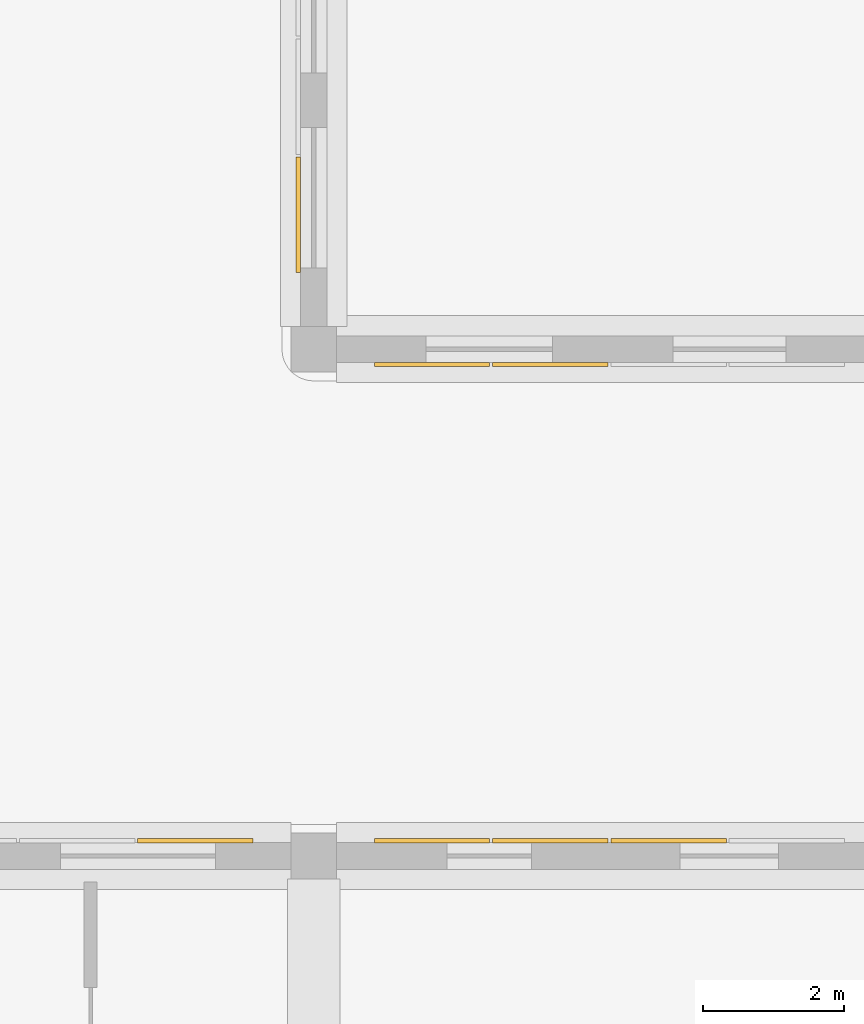
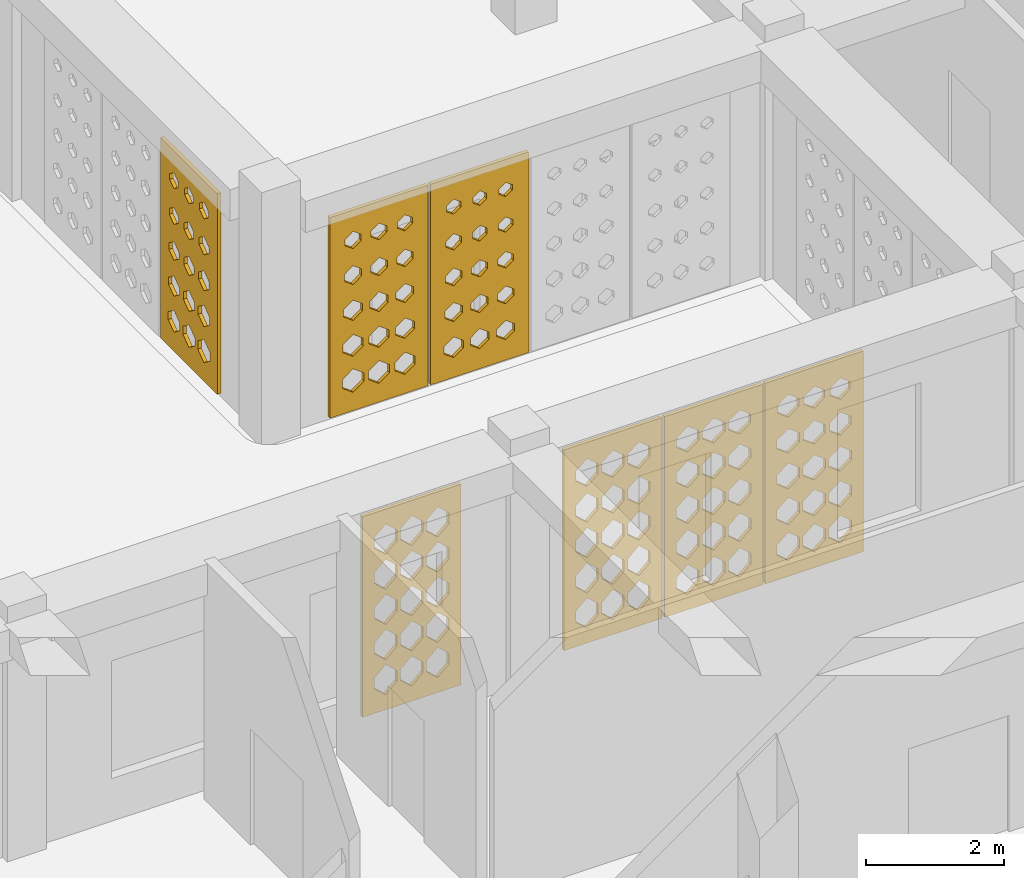
# One storey, part 29 of 47: 7 coverings.
"""IFC4 building model written with IfcOpenShell, lengths in metres."""

import ifcopenshell
import ifcopenshell.guid

model = None  # the IFC model being written
_history = None  # IfcOwnerHistory: only IFC2X3 demands one
_inside = {}  # id of a spatial element -> (the spatial element, [elements in it])
_under = {}  # id of a project, library or spatial element -> (it, [spatial elements below it])
_declared = {}  # id of a project -> (the project, [libraries it declares])
_typed = {}  # id of a type object -> (the type object, [elements of that type])
_made_of = {}  # id of a material, layer set ... -> (it, [elements and type objects made of it])


def new_model(schema):
    """Start an empty IFC model of exactly this schema.

    Asked for "IFC4X3", IfcOpenShell would pick the latest addendum, in which some entities
    have other attributes; the version numbers below select the first issue.
    IFC2X3 requires an IfcOwnerHistory on every rooted entity: one is made here for all.
    """
    global model, _history
    if schema == "IFC4X3":
        model = ifcopenshell.file(schema_version=(4, 3, 0, 0))
    else:
        model = ifcopenshell.file(schema=schema)
    _inside.clear()
    _under.clear()
    _declared.clear()
    _typed.clear()
    _made_of.clear()
    _history = None
    if model.schema == "IFC2X3":
        org = make("IfcOrganization", Name="unknown")
        user = make(
            "IfcPersonAndOrganization",
            ThePerson=make("IfcPerson", FamilyName="unknown"),
            TheOrganization=org,
        )
        app = make(
            "IfcApplication",
            ApplicationDeveloper=org,
            Version="unknown",
            ApplicationFullName="unknown",
            ApplicationIdentifier="unknown",
        )
        _history = make(
            "IfcOwnerHistory",
            OwningUser=user,
            OwningApplication=app,
            ChangeAction="ADDED",
            CreationDate=0,
        )
    return model


def make(cls, **values):
    """One entity of the class cls with the attributes given. An attribute that is None is left unset."""
    return model.create_entity(
        cls, **{name: value for name, value in values.items() if value is not None}
    )


def rooted(cls, **values):
    """An entity with a GlobalId (a new one), such as an element, a storey or a relation."""
    return make(cls, GlobalId=ifcopenshell.guid.new(), OwnerHistory=_history, **values)


def si_unit(unit_type, name, prefix=None):
    """IfcSIUnit, for example si_unit("LENGTHUNIT", "METRE", prefix="MILLI")."""
    return make("IfcSIUnit", UnitType=unit_type, Prefix=prefix, Name=name)


def derived_unit(unit_type, elements):
    """IfcDerivedUnit: a product of units, each with its exponent."""
    return make(
        "IfcDerivedUnit",
        Elements=[
            make("IfcDerivedUnitElement", Unit=unit, Exponent=power)
            for unit, power in elements
        ],
        UnitType=unit_type,
    )


def assignment(units):
    """IfcUnitAssignment: the units of a project."""
    return None if units is None else make("IfcUnitAssignment", Units=units)


def point(xyz):
    """IfcCartesianPoint."""
    return None if xyz is None else make("IfcCartesianPoint", Coordinates=xyz)


def direction(xyz):
    """IfcDirection."""
    return None if xyz is None else make("IfcDirection", DirectionRatios=xyz)


def frame(location, z_axis=None, x_axis=None):
    """IfcAxis2Placement3D, a coordinate frame: its origin and axes. An axis left out is left unset."""
    return make(
        "IfcAxis2Placement3D",
        Location=point(location),
        Axis=direction(z_axis),
        RefDirection=direction(x_axis),
    )


def origin():
    """The frame at (0, 0, 0) with its axes left unset."""
    return frame((0.0, 0.0, 0.0))


def place(relative_to, where):
    """IfcLocalPlacement: puts the frame where relative to a parent placement (None: the world)."""
    return make(
        "IfcLocalPlacement", PlacementRelTo=relative_to, RelativePlacement=where
    )


def context(
    kind, dimensions, precision=None, world=None, true_north=None, identifier=None
):
    """IfcGeometricRepresentationContext, for example the 3D "Model" context."""
    return make(
        "IfcGeometricRepresentationContext",
        ContextIdentifier=identifier,
        ContextType=kind,
        CoordinateSpaceDimension=dimensions,
        Precision=precision,
        WorldCoordinateSystem=world,
        TrueNorth=true_north,
    )


def subcontext(parent, identifier, kind, view, scale=None):
    """IfcGeometricRepresentationSubContext, for example "Body" below "Model"."""
    return make(
        "IfcGeometricRepresentationSubContext",
        ContextIdentifier=identifier,
        ContextType=kind,
        ParentContext=parent,
        TargetScale=scale,
        TargetView=view,
    )


def project(units=None, contexts=None):
    """IfcProject with its units and contexts."""
    return rooted(
        "IfcProject",
        Name="project",
        RepresentationContexts=contexts,
        UnitsInContext=assignment(units),
    )


def spatial(cls, under=None, at=None, **own):
    """A site, building, storey or space (cls), placed at a placement, below another one or the project."""
    s = rooted(cls, ObjectPlacement=at, **own)
    if under is not None:
        _under.setdefault(under.id(), (under, []))[1].append(s)
    return s


def polyline(points):
    """IfcPolyline through the points."""
    return make("IfcPolyline", Points=[point(p) for p in points])


def outline(outer, holes=None, kind="AREA"):
    """IfcArbitraryClosedProfileDef: a profile drawn as a closed curve; with holes, ...WithVoids."""
    if holes is None:
        return make("IfcArbitraryClosedProfileDef", ProfileType=kind, OuterCurve=outer)
    return make(
        "IfcArbitraryProfileDefWithVoids",
        ProfileType=kind,
        OuterCurve=outer,
        InnerCurves=holes,
    )


def extrude(swept, where, along, depth):
    """IfcExtrudedAreaSolid: the profile swept, set in the frame where, extruded along a direction by depth."""
    return make(
        "IfcExtrudedAreaSolid",
        SweptArea=swept,
        Position=where,
        ExtrudedDirection=direction(along),
        Depth=depth,
    )


def shape(context_of_items, identifier, shape_type, items):
    """IfcShapeRepresentation: the items that make up one representation, for example the "Body"."""
    return make(
        "IfcShapeRepresentation",
        ContextOfItems=context_of_items,
        RepresentationIdentifier=identifier,
        RepresentationType=shape_type,
        Items=items,
    )


def material(Name=None, Category=None):
    """IfcMaterial."""
    return make("IfcMaterial", Name=Name, Category=Category)


def layer(
    of_material, thickness, ventilated=None, Name=None, Category=None, Priority=None
):
    """IfcMaterialLayer: one layer of a wall or slab, of a material (None: an air gap)."""
    return make(
        "IfcMaterialLayer",
        Material=of_material,
        LayerThickness=thickness,
        IsVentilated=ventilated,
        Name=Name,
        Category=Category,
        Priority=Priority,
    )


def layer_set(layers, Name=None):
    """IfcMaterialLayerSet."""
    return make("IfcMaterialLayerSet", MaterialLayers=layers, LayerSetName=Name)


def made_of(thing, what):
    """Note that an element or type object is made of a material, layer set ...; save() writes the relation."""
    if what is not None:
        _made_of.setdefault(what.id(), (what, []))[1].append(thing)
    return thing


def type_object(cls, material=None, **own):
    """A type object (cls), such as IfcWallType, which elements share."""
    return made_of(rooted(cls, **own), material)


def element(
    cls,
    number,
    at=None,
    inside=None,
    cuts=None,
    type_object=None,
    material=None,
    context=None,
    identifier="Body",
    shape_type=None,
    held_by="IfcProductDefinitionShape",
    body=None,
    shapes=None,
    **own,
):
    """One element of the class cls, such as IfcWall. Its Tag is "e" and its number.

    at: its placement. inside: the storey or other place that contains it. cuts: it is an
    opening in that element (IfcRelVoidsElement). A single representation is given by context,
    identifier, shape_type and body (its items); several are given by shapes. held_by: the class
    of the entity that holds the representations. save() writes the other relations.
    """
    e = rooted(cls, Tag="e%d" % number, ObjectPlacement=at, **own)
    if body is not None:
        shapes = [shape(context, identifier, shape_type, body)]
    if shapes is not None:
        e.Representation = make(held_by, Representations=shapes)
    if inside is not None:
        _inside.setdefault(inside.id(), (inside, []))[1].append(e)
    if cuts is not None:
        rooted(
            "IfcRelVoidsElement", RelatingBuildingElement=cuts, RelatedOpeningElement=e
        )
    if type_object is not None:
        _typed.setdefault(type_object.id(), (type_object, []))[1].append(e)
    return made_of(e, material)


def aggregate(whole, parts):
    """IfcRelAggregates: a whole, such as a stair, and the parts it consists of."""
    return rooted("IfcRelAggregates", RelatingObject=whole, RelatedObjects=parts)


def save(model, path):
    """Write the relations noted so far, then the file.

    IfcRelAggregates (storeys below a building ...), IfcRelContainedInSpatialStructure (elements
    in a storey), IfcRelDefinesByType, IfcRelAssociatesMaterial and IfcRelDeclares: one each for
    every whole, place, type object, material and project.
    """
    for whole, parts in _under.values():
        aggregate(whole, parts)
    for where, things in _inside.values():
        rooted(
            "IfcRelContainedInSpatialStructure",
            RelatedElements=things,
            RelatingStructure=where,
        )
    for kind, things in _typed.values():
        rooted("IfcRelDefinesByType", RelatedObjects=things, RelatingType=kind)
    for what, things in _made_of.values():
        rooted("IfcRelAssociatesMaterial", RelatedObjects=things, RelatingMaterial=what)
    for by, libraries in _declared.values():
        rooted("IfcRelDeclares", RelatingContext=by, RelatedDefinitions=libraries)
    model.write(path)


model = new_model("IFC4")

# Units and contexts
model_context = context("Model", 3, precision=1e-05, world=origin(), true_north=direction((0.0, 1.0)))
body_context = subcontext(model_context, "Body", "Model", "MODEL_VIEW")
ifc_project = project(units=[si_unit("LENGTHUNIT", "METRE"), si_unit("AREAUNIT", "SQUARE_METRE"), si_unit("VOLUMEUNIT", "CUBIC_METRE"), si_unit("PLANEANGLEUNIT", "RADIAN"), si_unit("MASSUNIT", "GRAM", prefix="KILO"), derived_unit("THERMALTRANSMITTANCEUNIT", [(si_unit("POWERUNIT", "WATT"), 1), (si_unit("LENGTHUNIT", "METRE"), -2), (si_unit("THERMODYNAMICTEMPERATUREUNIT", "KELVIN"), -1)])], contexts=[model_context])

# Site, building, storey
site_placement = place(None, origin())
site = spatial("IfcSite", under=ifc_project, at=site_placement, CompositionType="ELEMENT")
building_placement = place(site_placement, origin())
building = spatial("IfcBuilding", under=site, at=building_placement, Name="Veybourne Emporium", CompositionType="ELEMENT")
storey_placement = place(building_placement, frame((0.0, 0.0, 23.39990234375)))
storey = spatial("IfcBuildingStorey", under=building, at=storey_placement, Name="L05", CompositionType="ELEMENT", Elevation=23.39990234375)

# Coverings
ifc_material = material(Name="Warm-White Perforated Aluminium Screen Alloy", Category="aluminium")
ifc_layer_1 = layer(ifc_material, 0.06005859375)
ifc_layer_set_1 = layer_set([ifc_layer_1], Name="Warm-White Perforated Aluminium Screen Alloy")
covering_type_1 = type_object("IfcCoveringType", Name="WaveScreen_SCR-01", PredefinedType="CLADDING", material=ifc_layer_set_1)
covering_1_placement = place(storey_placement, frame((28.56005859375, 57.35205078125, 1.830078125), z_axis=(0.0, 1.0, 0.0), x_axis=(-1.0, 0.0, 0.0)))
element("IfcCovering", 1, at=covering_1_placement, inside=storey, type_object=covering_type_1, Name="L05 wave-perforated aluminium screen SCR-01 (16.3)", PredefinedType="CLADDING", context=body_context, shape_type="SweptSolid", body=[
    extrude(outline(polyline([(-0.81982421875, -1.77001953125), (0.81982421875, -1.77001953125), (0.81982421875, 1.77001953125), (-0.81982421875, 1.77001953125), (-0.81982421875, -1.77001953125)]), holes=[polyline([(-0.433349609375, -1.06982421875), (-0.2841796875, -1.1787109375), (-0.2841796875, -1.30126953125), (-0.433349609375, -1.41015625), (-0.58251953125, -1.30126953125), (-0.58251953125, -1.1787109375), (-0.433349609375, -1.06982421875)]), polyline([(-0.433349609375, -0.463134765625), (-0.294921875, -0.5634765625), (-0.294921875, -0.676513671875), (-0.433349609375, -0.77685546875), (-0.571533203125, -0.676513671875), (-0.571533203125, -0.5634765625), (-0.433349609375, -0.463134765625)]), polyline([(-0.433349609375, 0.14453125), (-0.30517578125, 0.052001953125), (-0.30517578125, -0.052001953125), (-0.433349609375, -0.14453125), (-0.5615234375, -0.052001953125), (-0.5615234375, 0.052001953125), (-0.433349609375, 0.14453125)]), polyline([(-0.433349609375, 0.753662109375), (-0.31396484375, 0.668212890625), (-0.31396484375, 0.572021484375), (-0.433349609375, 0.486328125), (-0.552734375, 0.572021484375), (-0.552734375, 0.668212890625), (-0.433349609375, 0.753662109375)]), polyline([(-0.433349609375, 1.364501953125), (-0.3212890625, 1.284912109375), (-0.3212890625, 1.1953125), (-0.433349609375, 1.115478515625), (-0.545166015625, 1.1953125), (-0.545166015625, 1.284912109375), (-0.433349609375, 1.364501953125)]), polyline([(0.0, -1.0634765625), (0.154296875, -1.176513671875), (0.154296875, -1.303466796875), (0.0, -1.41650390625), (-0.154296875, -1.303466796875), (-0.154296875, -1.176513671875), (0.0, -1.0634765625)]), polyline([(0.0, -0.457275390625), (0.14306640625, -0.561279296875), (0.14306640625, -0.6787109375), (0.0, -0.78271484375), (-0.14306640625, -0.6787109375), (-0.14306640625, -0.561279296875), (0.0, -0.457275390625)]), polyline([(0.0, 0.14990234375), (0.132568359375, 0.053955078125), (0.132568359375, -0.053955078125), (0.0, -0.14990234375), (-0.132568359375, -0.053955078125), (-0.132568359375, 0.053955078125), (0.0, 0.14990234375)]), polyline([(0.0, 0.75830078125), (0.123291015625, 0.669921875), (0.123291015625, 0.5703125), (0.0, 0.481689453125), (-0.123291015625, 0.5703125), (-0.123291015625, 0.669921875), (0.0, 0.75830078125)]), polyline([(0.0, 1.368408203125), (0.114990234375, 1.2861328125), (0.114990234375, 1.19384765625), (0.0, 1.111572265625), (-0.114990234375, 1.19384765625), (-0.114990234375, 1.2861328125), (0.0, 1.368408203125)]), polyline([(0.433349609375, -1.05712890625), (0.593017578125, -1.17431640625), (0.593017578125, -1.305908203125), (0.433349609375, -1.4228515625), (0.273681640625, -1.305908203125), (0.273681640625, -1.17431640625), (0.433349609375, -1.05712890625)]), polyline([(0.433349609375, -0.451171875), (0.58154296875, -0.55908203125), (0.58154296875, -0.680908203125), (0.433349609375, -0.788818359375), (0.28515625, -0.680908203125), (0.28515625, -0.55908203125), (0.433349609375, -0.451171875)]), polyline([(0.433349609375, 0.155517578125), (0.570556640625, 0.055908203125), (0.570556640625, -0.055908203125), (0.433349609375, -0.155517578125), (0.296142578125, -0.055908203125), (0.296142578125, 0.055908203125), (0.433349609375, 0.155517578125)]), polyline([(0.433349609375, 0.76318359375), (0.560546875, 0.671630859375), (0.560546875, 0.568359375), (0.433349609375, 0.476806640625), (0.30615234375, 0.568359375), (0.30615234375, 0.671630859375), (0.433349609375, 0.76318359375)]), polyline([(0.433349609375, 1.37255859375), (0.552001953125, 1.28759765625), (0.552001953125, 1.1923828125), (0.433349609375, 1.107421875), (0.314697265625, 1.1923828125), (0.314697265625, 1.28759765625), (0.433349609375, 1.37255859375)])]), origin(), (0.0, 0.0, 1.0), 0.06005859375),
])
ifc_layer_2 = layer(ifc_material, 0.06005859375)
ifc_layer_set_2 = layer_set([ifc_layer_2], Name="Warm-White Perforated Aluminium Screen Alloy")
covering_type_2 = type_object("IfcCoveringType", Name="WaveScreen_SCR-02", PredefinedType="CLADDING", material=ifc_layer_set_2)
covering_2_placement = place(storey_placement, frame((26.8798828125, 50.64794921875, 1.830078125), z_axis=(0.0, -1.0, 0.0), x_axis=(1.0, 0.0, 0.0)))
element("IfcCovering", 2, at=covering_2_placement, inside=storey, type_object=covering_type_2, Name="L05 wave-perforated aluminium screen SCR-02 (15.1)", PredefinedType="CLADDING", context=body_context, shape_type="SweptSolid", body=[
    extrude(outline(polyline([(-0.81982421875, -1.77001953125), (0.81982421875, -1.77001953125), (0.81982421875, 1.77001953125), (-0.81982421875, 1.77001953125), (-0.81982421875, -1.77001953125)]), holes=[polyline([(-0.433349609375, -0.973388671875), (-0.2470703125, -1.14404296875), (-0.2470703125, -1.3359375), (-0.433349609375, -1.506591796875), (-0.61962890625, -1.3359375), (-0.61962890625, -1.14404296875), (-0.433349609375, -0.973388671875)]), polyline([(-0.433349609375, -0.353515625), (-0.2470703125, -0.52392578125), (-0.2470703125, -0.716064453125), (-0.433349609375, -0.88671875), (-0.61962890625, -0.716064453125), (-0.61962890625, -0.52392578125), (-0.433349609375, -0.353515625)]), polyline([(-0.433349609375, 0.264404296875), (-0.2470703125, 0.09521484375), (-0.2470703125, -0.09521484375), (-0.433349609375, -0.264404296875), (-0.61962890625, -0.09521484375), (-0.61962890625, 0.09521484375), (-0.433349609375, 0.264404296875)]), polyline([(-0.433349609375, 0.876220703125), (-0.2470703125, 0.712158203125), (-0.2470703125, 0.52783203125), (-0.433349609375, 0.36376953125), (-0.61962890625, 0.52783203125), (-0.61962890625, 0.712158203125), (-0.433349609375, 0.876220703125)]), polyline([(-0.433349609375, 1.486083984375), (-0.2470703125, 1.32861328125), (-0.2470703125, 1.1513671875), (-0.433349609375, 0.993896484375), (-0.61962890625, 1.1513671875), (-0.61962890625, 1.32861328125), (-0.433349609375, 1.486083984375)]), polyline([(0.0, -0.973388671875), (0.186279296875, -1.14404296875), (0.186279296875, -1.3359375), (0.0, -1.506591796875), (-0.186279296875, -1.3359375), (-0.186279296875, -1.14404296875), (0.0, -0.973388671875)]), polyline([(0.0, -0.353515625), (0.186279296875, -0.52392578125), (0.186279296875, -0.716064453125), (0.0, -0.88671875), (-0.186279296875, -0.716064453125), (-0.186279296875, -0.52392578125), (0.0, -0.353515625)]), polyline([(0.0, 0.260986328125), (0.186279296875, 0.093994140625), (0.186279296875, -0.093994140625), (0.0, -0.260986328125), (-0.186279296875, -0.093994140625), (-0.186279296875, 0.093994140625), (0.0, 0.260986328125)]), polyline([(0.0, 0.871826171875), (0.186279296875, 0.710693359375), (0.186279296875, 0.529296875), (0.0, 0.3681640625), (-0.186279296875, 0.529296875), (-0.186279296875, 0.710693359375), (0.0, 0.871826171875)]), polyline([(0.0, 1.481201171875), (0.186279296875, 1.326904296875), (0.186279296875, 1.1533203125), (0.0, 0.998779296875), (-0.186279296875, 1.1533203125), (-0.186279296875, 1.326904296875), (0.0, 1.481201171875)]), polyline([(0.433349609375, -0.973388671875), (0.61962890625, -1.14404296875), (0.61962890625, -1.3359375), (0.433349609375, -1.506591796875), (0.2470703125, -1.3359375), (0.2470703125, -1.14404296875), (0.433349609375, -0.973388671875)]), polyline([(0.433349609375, -0.35498046875), (0.61962890625, -0.524658203125), (0.61962890625, -0.71533203125), (0.433349609375, -0.885009765625), (0.2470703125, -0.71533203125), (0.2470703125, -0.524658203125), (0.433349609375, -0.35498046875)]), polyline([(0.433349609375, 0.257080078125), (0.61962890625, 0.092529296875), (0.61962890625, -0.092529296875), (0.433349609375, -0.257080078125), (0.2470703125, -0.092529296875), (0.2470703125, 0.092529296875), (0.433349609375, 0.257080078125)]), polyline([(0.433349609375, 0.8671875), (0.61962890625, 0.708984375), (0.61962890625, 0.531005859375), (0.433349609375, 0.372802734375), (0.2470703125, 0.531005859375), (0.2470703125, 0.708984375), (0.433349609375, 0.8671875)]), polyline([(0.433349609375, 1.475830078125), (0.61962890625, 1.324951171875), (0.61962890625, 1.155029296875), (0.433349609375, 1.004150390625), (0.2470703125, 1.155029296875), (0.2470703125, 1.324951171875), (0.433349609375, 1.475830078125)])]), origin(), (0.0, 0.0, 1.0), 0.06005859375),
])
covering_3_placement = place(storey_placement, frame((26.8798828125, 57.35205078125, 1.830078125), z_axis=(0.0, 1.0, 0.0), x_axis=(-1.0, 0.0, 0.0)))
element("IfcCovering", 3, at=covering_3_placement, inside=storey, type_object=covering_type_2, Name="L05 wave-perforated aluminium screen SCR-02 (16.4)", PredefinedType="CLADDING", context=body_context, shape_type="SweptSolid", body=[
    extrude(outline(polyline([(-0.81982421875, -1.77001953125), (0.81982421875, -1.77001953125), (0.81982421875, 1.77001953125), (-0.81982421875, 1.77001953125), (-0.81982421875, -1.77001953125)]), holes=[polyline([(-0.433349609375, -1.045166015625), (-0.263916015625, -1.169921875), (-0.263916015625, -1.310302734375), (-0.433349609375, -1.434814453125), (-0.602783203125, -1.310302734375), (-0.602783203125, -1.169921875), (-0.433349609375, -1.045166015625)]), polyline([(-0.433349609375, -0.439453125), (-0.275634765625, -0.554931640625), (-0.275634765625, -0.68505859375), (-0.433349609375, -0.800537109375), (-0.591064453125, -0.68505859375), (-0.591064453125, -0.554931640625), (-0.433349609375, -0.439453125)]), polyline([(-0.433349609375, 0.166748046875), (-0.287109375, 0.06005859375), (-0.287109375, -0.06005859375), (-0.433349609375, -0.166748046875), (-0.57958984375, -0.06005859375), (-0.57958984375, 0.06005859375), (-0.433349609375, 0.166748046875)]), polyline([(-0.433349609375, 0.7734375), (-0.297607421875, 0.67529296875), (-0.297607421875, 0.564697265625), (-0.433349609375, 0.466552734375), (-0.56884765625, 0.564697265625), (-0.56884765625, 0.67529296875), (-0.433349609375, 0.7734375)]), polyline([(-0.433349609375, 1.381591796875), (-0.3076171875, 1.291015625), (-0.3076171875, 1.18896484375), (-0.433349609375, 1.098388671875), (-0.55908203125, 1.18896484375), (-0.55908203125, 1.291015625), (-0.433349609375, 1.381591796875)]), polyline([(0.0, -1.038818359375), (0.1748046875, -1.16748046875), (0.1748046875, -1.3125), (0.0, -1.44140625), (-0.1748046875, -1.3125), (-0.1748046875, -1.16748046875), (0.0, -1.038818359375)]), polyline([(0.0, -0.43310546875), (0.1630859375, -0.552734375), (0.1630859375, -0.687255859375), (0.0, -0.806884765625), (-0.1630859375, -0.687255859375), (-0.1630859375, -0.552734375), (0.0, -0.43310546875)]), polyline([(0.0, 0.1728515625), (0.1513671875, 0.062255859375), (0.1513671875, -0.062255859375), (0.0, -0.1728515625), (-0.1513671875, -0.062255859375), (-0.1513671875, 0.062255859375), (0.0, 0.1728515625)]), polyline([(0.0, 0.779296875), (0.140380859375, 0.677490234375), (0.140380859375, 0.5625), (0.0, 0.460693359375), (-0.140380859375, 0.5625), (-0.140380859375, 0.677490234375), (0.0, 0.779296875)]), polyline([(0.0, 1.38671875), (0.130126953125, 1.292724609375), (0.130126953125, 1.187255859375), (0.0, 1.09326171875), (-0.130126953125, 1.187255859375), (-0.130126953125, 1.292724609375), (0.0, 1.38671875)]), polyline([(0.433349609375, -1.0322265625), (0.61328125, -1.165283203125), (0.61328125, -1.314697265625), (0.433349609375, -1.44775390625), (0.25341796875, -1.314697265625), (0.25341796875, -1.165283203125), (0.433349609375, -1.0322265625)]), polyline([(0.433349609375, -0.426513671875), (0.6015625, -0.55029296875), (0.6015625, -0.689697265625), (0.433349609375, -0.8134765625), (0.26513671875, -0.689697265625), (0.26513671875, -0.55029296875), (0.433349609375, -0.426513671875)]), polyline([(0.433349609375, 0.17919921875), (0.58984375, 0.064453125), (0.58984375, -0.064453125), (0.433349609375, -0.17919921875), (0.276611328125, -0.064453125), (0.276611328125, 0.064453125), (0.433349609375, 0.17919921875)]), polyline([(0.433349609375, 0.785400390625), (0.57861328125, 0.679443359375), (0.57861328125, 0.560546875), (0.433349609375, 0.45458984375), (0.2880859375, 0.560546875), (0.2880859375, 0.679443359375), (0.433349609375, 0.785400390625)]), polyline([(0.433349609375, 1.392333984375), (0.56787109375, 1.294921875), (0.56787109375, 1.185302734375), (0.433349609375, 1.087646484375), (0.298828125, 1.185302734375), (0.298828125, 1.294921875), (0.433349609375, 1.392333984375)])]), origin(), (0.0, 0.0, 1.0), 0.06005859375),
])
ifc_layer_3 = layer(ifc_material, 0.06005859375)
ifc_layer_set_3 = layer_set([ifc_layer_3], Name="Warm-White Perforated Aluminium Screen Alloy")
covering_type_3 = type_object("IfcCoveringType", Name="WaveScreen_SCR-03", PredefinedType="CLADDING", material=ifc_layer_set_3)
covering_4_placement = place(storey_placement, frame((23.52001953125, 50.64794921875, 1.830078125), z_axis=(0.0, -1.0, 0.0), x_axis=(1.0, 0.0, 0.0)))
element("IfcCovering", 4, at=covering_4_placement, inside=storey, type_object=covering_type_3, Name="L05 wave-perforated aluminium screen SCR-03 (13.4)", PredefinedType="CLADDING", context=body_context, shape_type="SweptSolid", body=[
    extrude(outline(polyline([(-0.81982421875, -1.77001953125), (0.81982421875, -1.77001953125), (0.81982421875, 1.77001953125), (-0.81982421875, 1.77001953125), (-0.81982421875, -1.77001953125)]), holes=[polyline([(-0.433349609375, -0.973388671875), (-0.2470703125, -1.14404296875), (-0.2470703125, -1.3359375), (-0.433349609375, -1.506591796875), (-0.61962890625, -1.3359375), (-0.61962890625, -1.14404296875), (-0.433349609375, -0.973388671875)]), polyline([(-0.433349609375, -0.353515625), (-0.2470703125, -0.52392578125), (-0.2470703125, -0.716064453125), (-0.433349609375, -0.88671875), (-0.61962890625, -0.716064453125), (-0.61962890625, -0.52392578125), (-0.433349609375, -0.353515625)]), polyline([(-0.433349609375, 0.2666015625), (-0.2470703125, 0.095947265625), (-0.2470703125, -0.095947265625), (-0.433349609375, -0.2666015625), (-0.61962890625, -0.095947265625), (-0.61962890625, 0.095947265625), (-0.433349609375, 0.2666015625)]), polyline([(-0.433349609375, 0.88671875), (-0.2470703125, 0.716064453125), (-0.2470703125, 0.52392578125), (-0.433349609375, 0.353515625), (-0.61962890625, 0.52392578125), (-0.61962890625, 0.716064453125), (-0.433349609375, 0.88671875)]), polyline([(-0.433349609375, 1.506591796875), (-0.2470703125, 1.3359375), (-0.2470703125, 1.14404296875), (-0.433349609375, 0.973388671875), (-0.61962890625, 1.14404296875), (-0.61962890625, 1.3359375), (-0.433349609375, 1.506591796875)]), polyline([(0.0, -0.973388671875), (0.186279296875, -1.14404296875), (0.186279296875, -1.3359375), (0.0, -1.506591796875), (-0.186279296875, -1.3359375), (-0.186279296875, -1.14404296875), (0.0, -0.973388671875)]), polyline([(0.0, -0.353515625), (0.186279296875, -0.52392578125), (0.186279296875, -0.716064453125), (0.0, -0.88671875), (-0.186279296875, -0.716064453125), (-0.186279296875, -0.52392578125), (0.0, -0.353515625)]), polyline([(0.0, 0.2666015625), (0.186279296875, 0.095947265625), (0.186279296875, -0.095947265625), (0.0, -0.2666015625), (-0.186279296875, -0.095947265625), (-0.186279296875, 0.095947265625), (0.0, 0.2666015625)]), polyline([(0.0, 0.88671875), (0.186279296875, 0.716064453125), (0.186279296875, 0.52392578125), (0.0, 0.353515625), (-0.186279296875, 0.52392578125), (-0.186279296875, 0.716064453125), (0.0, 0.88671875)]), polyline([(0.0, 1.506591796875), (0.186279296875, 1.3359375), (0.186279296875, 1.14404296875), (0.0, 0.973388671875), (-0.186279296875, 1.14404296875), (-0.186279296875, 1.3359375), (0.0, 1.506591796875)]), polyline([(0.433349609375, -0.973388671875), (0.61962890625, -1.14404296875), (0.61962890625, -1.3359375), (0.433349609375, -1.506591796875), (0.2470703125, -1.3359375), (0.2470703125, -1.14404296875), (0.433349609375, -0.973388671875)]), polyline([(0.433349609375, -0.353515625), (0.61962890625, -0.52392578125), (0.61962890625, -0.716064453125), (0.433349609375, -0.88671875), (0.2470703125, -0.716064453125), (0.2470703125, -0.52392578125), (0.433349609375, -0.353515625)]), polyline([(0.433349609375, 0.2666015625), (0.61962890625, 0.095947265625), (0.61962890625, -0.095947265625), (0.433349609375, -0.2666015625), (0.2470703125, -0.095947265625), (0.2470703125, 0.095947265625), (0.433349609375, 0.2666015625)]), polyline([(0.433349609375, 0.88671875), (0.61962890625, 0.716064453125), (0.61962890625, 0.52392578125), (0.433349609375, 0.353515625), (0.2470703125, 0.52392578125), (0.2470703125, 0.716064453125), (0.433349609375, 0.88671875)]), polyline([(0.433349609375, 1.506591796875), (0.61962890625, 1.3359375), (0.61962890625, 1.14404296875), (0.433349609375, 0.973388671875), (0.2470703125, 1.14404296875), (0.2470703125, 1.3359375), (0.433349609375, 1.506591796875)])]), origin(), (0.0, 0.0, 1.0), 0.06005859375),
])
covering_5_placement = place(storey_placement, frame((28.56005859375, 50.64794921875, 1.830078125), z_axis=(0.0, -1.0, 0.0), x_axis=(1.0, 0.0, 0.0)))
element("IfcCovering", 5, at=covering_5_placement, inside=storey, type_object=covering_type_3, Name="L05 wave-perforated aluminium screen SCR-03 (15.2)", PredefinedType="CLADDING", context=body_context, shape_type="SweptSolid", body=[
    extrude(outline(polyline([(-0.81982421875, -1.77001953125), (0.81982421875, -1.77001953125), (0.81982421875, 1.77001953125), (-0.81982421875, 1.77001953125), (-0.81982421875, -1.77001953125)]), holes=[polyline([(-0.433349609375, -0.97412109375), (-0.2470703125, -1.144287109375), (-0.2470703125, -1.335693359375), (-0.433349609375, -1.506103515625), (-0.61962890625, -1.335693359375), (-0.61962890625, -1.144287109375), (-0.433349609375, -0.97412109375)]), polyline([(-0.433349609375, -0.361572265625), (-0.2470703125, -0.527099609375), (-0.2470703125, -0.712890625), (-0.433349609375, -0.87841796875), (-0.61962890625, -0.712890625), (-0.61962890625, -0.527099609375), (-0.433349609375, -0.361572265625)]), polyline([(-0.433349609375, 0.248779296875), (-0.2470703125, 0.089599609375), (-0.2470703125, -0.089599609375), (-0.433349609375, -0.248779296875), (-0.61962890625, -0.089599609375), (-0.61962890625, 0.089599609375), (-0.433349609375, 0.248779296875)]), polyline([(-0.433349609375, 0.857666015625), (-0.2470703125, 0.70556640625), (-0.2470703125, 0.534423828125), (-0.433349609375, 0.38232421875), (-0.61962890625, 0.534423828125), (-0.61962890625, 0.70556640625), (-0.433349609375, 0.857666015625)]), polyline([(-0.433349609375, 1.465087890625), (-0.2470703125, 1.321044921875), (-0.2470703125, 1.158935546875), (-0.433349609375, 1.014892578125), (-0.61962890625, 1.158935546875), (-0.61962890625, 1.321044921875), (-0.433349609375, 1.465087890625)]), polyline([(0.0, -0.97705078125), (0.186279296875, -1.1455078125), (0.186279296875, -1.334716796875), (0.0, -1.5029296875), (-0.186279296875, -1.334716796875), (-0.186279296875, -1.1455078125), (0.0, -0.97705078125)]), polyline([(0.0, -0.365478515625), (0.186279296875, -0.5283203125), (0.186279296875, -0.711669921875), (0.0, -0.87451171875), (-0.186279296875, -0.711669921875), (-0.186279296875, -0.5283203125), (0.0, -0.365478515625)]), polyline([(0.0, 0.243896484375), (0.186279296875, 0.087890625), (0.186279296875, -0.087890625), (0.0, -0.243896484375), (-0.186279296875, -0.087890625), (-0.186279296875, 0.087890625), (0.0, 0.243896484375)]), polyline([(0.0, 0.85205078125), (0.186279296875, 0.70361328125), (0.186279296875, 0.536376953125), (0.0, 0.387939453125), (-0.186279296875, 0.536376953125), (-0.186279296875, 0.70361328125), (0.0, 0.85205078125)]), polyline([(0.0, 1.458984375), (0.186279296875, 1.31884765625), (0.186279296875, 1.1611328125), (0.0, 1.02099609375), (-0.186279296875, 1.1611328125), (-0.186279296875, 1.31884765625), (0.0, 1.458984375)]), polyline([(0.433349609375, -0.980712890625), (0.61962890625, -1.146484375), (0.61962890625, -1.33349609375), (0.433349609375, -1.499267578125), (0.2470703125, -1.33349609375), (0.2470703125, -1.146484375), (0.433349609375, -0.980712890625)]), polyline([(0.433349609375, -0.3701171875), (0.61962890625, -0.530029296875), (0.61962890625, -0.7099609375), (0.433349609375, -0.869873046875), (0.2470703125, -0.7099609375), (0.2470703125, -0.530029296875), (0.433349609375, -0.3701171875)]), polyline([(0.433349609375, 0.239013671875), (0.61962890625, 0.0859375), (0.61962890625, -0.0859375), (0.433349609375, -0.239013671875), (0.2470703125, -0.0859375), (0.2470703125, 0.0859375), (0.433349609375, 0.239013671875)]), polyline([(0.433349609375, 0.846435546875), (0.61962890625, 0.701416015625), (0.61962890625, 0.53857421875), (0.433349609375, 0.3935546875), (0.2470703125, 0.53857421875), (0.2470703125, 0.701416015625), (0.433349609375, 0.846435546875)]), polyline([(0.433349609375, 1.452880859375), (0.617431640625, 1.316650390625), (0.617431640625, 1.163330078125), (0.433349609375, 1.027099609375), (0.249267578125, 1.163330078125), (0.249267578125, 1.316650390625), (0.433349609375, 1.452880859375)])]), origin(), (0.0, 0.0, 1.0), 0.06005859375),
])
ifc_layer_4 = layer(ifc_material, 0.06005859375)
ifc_layer_set_4 = layer_set([ifc_layer_4], Name="Warm-White Perforated Aluminium Screen Alloy")
covering_type_4 = type_object("IfcCoveringType", Name="WaveScreen_SCR-04", PredefinedType="CLADDING", material=ifc_layer_set_4)
covering_6_placement = place(storey_placement, frame((30.239990234375, 50.64794921875, 1.830078125), z_axis=(0.0, -1.0, 0.0), x_axis=(1.0, 0.0, 0.0)))
element("IfcCovering", 6, at=covering_6_placement, inside=storey, type_object=covering_type_4, Name="L05 wave-perforated aluminium screen SCR-04 (15.3)", PredefinedType="CLADDING", context=body_context, shape_type="SweptSolid", body=[
    extrude(outline(polyline([(-0.81982421875, -1.77001953125), (0.81982421875, -1.77001953125), (0.81982421875, 1.77001953125), (-0.81982421875, 1.77001953125), (-0.81982421875, -1.77001953125)]), holes=[polyline([(-0.433349609375, -0.988525390625), (-0.2470703125, -1.1494140625), (-0.2470703125, -1.33056640625), (-0.433349609375, -1.491455078125), (-0.61962890625, -1.33056640625), (-0.61962890625, -1.1494140625), (-0.433349609375, -0.988525390625)]), polyline([(-0.433349609375, -0.37939453125), (-0.2470703125, -0.533203125), (-0.2470703125, -0.706787109375), (-0.433349609375, -0.860595703125), (-0.61962890625, -0.706787109375), (-0.61962890625, -0.533203125), (-0.433349609375, -0.37939453125)]), polyline([(-0.433349609375, 0.228515625), (-0.2470703125, 0.082275390625), (-0.2470703125, -0.082275390625), (-0.433349609375, -0.228515625), (-0.61962890625, -0.082275390625), (-0.61962890625, 0.082275390625), (-0.433349609375, 0.228515625)]), polyline([(-0.433349609375, 0.8349609375), (-0.247314453125, 0.697509765625), (-0.247314453125, 0.54248046875), (-0.433349609375, 0.405029296875), (-0.619384765625, 0.54248046875), (-0.619384765625, 0.697509765625), (-0.433349609375, 0.8349609375)]), polyline([(-0.433349609375, 1.44091796875), (-0.2587890625, 1.3125), (-0.2587890625, 1.16748046875), (-0.433349609375, 1.0390625), (-0.60791015625, 1.16748046875), (-0.60791015625, 1.3125), (-0.433349609375, 1.44091796875)]), polyline([(0.0, -0.9931640625), (0.186279296875, -1.151123046875), (0.186279296875, -1.328857421875), (0.0, -1.48681640625), (-0.186279296875, -1.328857421875), (-0.186279296875, -1.151123046875), (0.0, -0.9931640625)]), polyline([(0.0, -0.384765625), (0.186279296875, -0.535400390625), (0.186279296875, -0.70458984375), (0.0, -0.855224609375), (-0.186279296875, -0.70458984375), (-0.186279296875, -0.535400390625), (0.0, -0.384765625)]), polyline([(0.0, 0.222412109375), (0.186279296875, 0.080078125), (0.186279296875, -0.080078125), (0.0, -0.222412109375), (-0.186279296875, -0.080078125), (-0.186279296875, 0.080078125), (0.0, 0.222412109375)]), polyline([(0.0, 0.828857421875), (0.180908203125, 0.6953125), (0.180908203125, 0.544921875), (0.0, 0.4111328125), (-0.180908203125, 0.544921875), (-0.180908203125, 0.6953125), (0.0, 0.828857421875)]), polyline([(0.0, 1.4345703125), (0.169189453125, 1.31005859375), (0.169189453125, 1.169921875), (0.0, 1.04541015625), (-0.169189453125, 1.169921875), (-0.169189453125, 1.31005859375), (0.0, 1.4345703125)]), polyline([(0.433349609375, -0.998046875), (0.61962890625, -1.15283203125), (0.61962890625, -1.3271484375), (0.433349609375, -1.48193359375), (0.2470703125, -1.3271484375), (0.2470703125, -1.15283203125), (0.433349609375, -0.998046875)]), polyline([(0.433349609375, -0.390380859375), (0.61962890625, -0.537353515625), (0.61962890625, -0.70263671875), (0.433349609375, -0.849609375), (0.2470703125, -0.70263671875), (0.2470703125, -0.537353515625), (0.433349609375, -0.390380859375)]), polyline([(0.433349609375, 0.21630859375), (0.61962890625, 0.077880859375), (0.61962890625, -0.077880859375), (0.433349609375, -0.21630859375), (0.2470703125, -0.077880859375), (0.2470703125, 0.077880859375), (0.433349609375, 0.21630859375)]), polyline([(0.433349609375, 0.822509765625), (0.60888671875, 0.69287109375), (0.60888671875, 0.547119140625), (0.433349609375, 0.41748046875), (0.2578125, 0.547119140625), (0.2578125, 0.69287109375), (0.433349609375, 0.822509765625)]), polyline([(0.433349609375, 1.427978515625), (0.597412109375, 1.3076171875), (0.597412109375, 1.17236328125), (0.433349609375, 1.052001953125), (0.269287109375, 1.17236328125), (0.269287109375, 1.3076171875), (0.433349609375, 1.427978515625)])]), origin(), (0.0, 0.0, 1.0), 0.06005859375),
])
covering_7_placement = place(storey_placement, frame((24.951904296875, 59.507568359375, 1.830078125), z_axis=(1.0, 0.0, 0.0), x_axis=(0.0, 1.0, 0.0)))
element("IfcCovering", 7, at=covering_7_placement, inside=storey, type_object=covering_type_4, Name="L05 wave-perforated aluminium screen SCR-04 (17.1)", PredefinedType="CLADDING", context=body_context, shape_type="SweptSolid", body=[
    extrude(outline(polyline([(-0.81982421875, -1.77001953125), (0.81982421875, -1.77001953125), (0.81982421875, 1.77001953125), (-0.81982421875, 1.77001953125), (-0.81982421875, -1.77001953125)]), holes=[polyline([(-0.433349609375, -1.03564453125), (-0.256103515625, -1.16650390625), (-0.256103515625, -1.313720703125), (-0.433349609375, -1.4443359375), (-0.610595703125, -1.313720703125), (-0.610595703125, -1.16650390625), (-0.433349609375, -1.03564453125)]), polyline([(-0.433349609375, -0.429931640625), (-0.267822265625, -0.551513671875), (-0.267822265625, -0.6884765625), (-0.433349609375, -0.81005859375), (-0.598876953125, -0.6884765625), (-0.598876953125, -0.551513671875), (-0.433349609375, -0.429931640625)]), polyline([(-0.433349609375, 0.17578125), (-0.279541015625, 0.063232421875), (-0.279541015625, -0.063232421875), (-0.433349609375, -0.17578125), (-0.587158203125, -0.063232421875), (-0.587158203125, 0.063232421875), (-0.433349609375, 0.17578125)]), polyline([(-0.433349609375, 0.781982421875), (-0.290771484375, 0.678466796875), (-0.290771484375, 0.5615234375), (-0.433349609375, 0.4580078125), (-0.575927734375, 0.5615234375), (-0.575927734375, 0.678466796875), (-0.433349609375, 0.781982421875)]), polyline([(-0.433349609375, 1.389404296875), (-0.301025390625, 1.293701171875), (-0.301025390625, 1.186279296875), (-0.433349609375, 1.0908203125), (-0.5654296875, 1.186279296875), (-0.5654296875, 1.293701171875), (-0.433349609375, 1.389404296875)]), polyline([(0.0, -1.0419921875), (0.171875, -1.168701171875), (0.171875, -1.311279296875), (0.0, -1.43798828125), (-0.171875, -1.311279296875), (-0.171875, -1.168701171875), (0.0, -1.0419921875)]), polyline([(0.0, -0.436279296875), (0.16015625, -0.553955078125), (0.16015625, -0.68603515625), (0.0, -0.8037109375), (-0.16015625, -0.68603515625), (-0.16015625, -0.553955078125), (0.0, -0.436279296875)]), polyline([(0.0, 0.169677734375), (0.148681640625, 0.06103515625), (0.148681640625, -0.06103515625), (0.0, -0.169677734375), (-0.148681640625, -0.06103515625), (-0.148681640625, 0.06103515625), (0.0, 0.169677734375)]), polyline([(0.0, 0.776123046875), (0.1376953125, 0.67626953125), (0.1376953125, 0.563720703125), (0.0, 0.4638671875), (-0.1376953125, 0.563720703125), (-0.1376953125, 0.67626953125), (0.0, 0.776123046875)]), polyline([(0.0, 1.384033203125), (0.127685546875, 1.291748046875), (0.127685546875, 1.188232421875), (0.0, 1.095947265625), (-0.127685546875, 1.188232421875), (-0.127685546875, 1.291748046875), (0.0, 1.384033203125)]), polyline([(0.433349609375, -1.048583984375), (0.60009765625, -1.171142578125), (0.60009765625, -1.308837890625), (0.433349609375, -1.431396484375), (0.2666015625, -1.308837890625), (0.2666015625, -1.171142578125), (0.433349609375, -1.048583984375)]), polyline([(0.433349609375, -0.442626953125), (0.58837890625, -0.55615234375), (0.58837890625, -0.683837890625), (0.433349609375, -0.79736328125), (0.2783203125, -0.683837890625), (0.2783203125, -0.55615234375), (0.433349609375, -0.442626953125)]), polyline([(0.433349609375, 0.16357421875), (0.5771484375, 0.058837890625), (0.5771484375, -0.058837890625), (0.433349609375, -0.16357421875), (0.28955078125, -0.058837890625), (0.28955078125, 0.058837890625), (0.433349609375, 0.16357421875)]), polyline([(0.433349609375, 0.7705078125), (0.56640625, 0.67431640625), (0.56640625, 0.56591796875), (0.433349609375, 0.469482421875), (0.300048828125, 0.56591796875), (0.300048828125, 0.67431640625), (0.433349609375, 0.7705078125)]), polyline([(0.433349609375, 1.37890625), (0.556884765625, 1.2900390625), (0.556884765625, 1.18994140625), (0.433349609375, 1.10107421875), (0.309814453125, 1.18994140625), (0.309814453125, 1.2900390625), (0.433349609375, 1.37890625)])]), origin(), (0.0, 0.0, 1.0), 0.06005859375),
])

save(model, "model.ifc")
